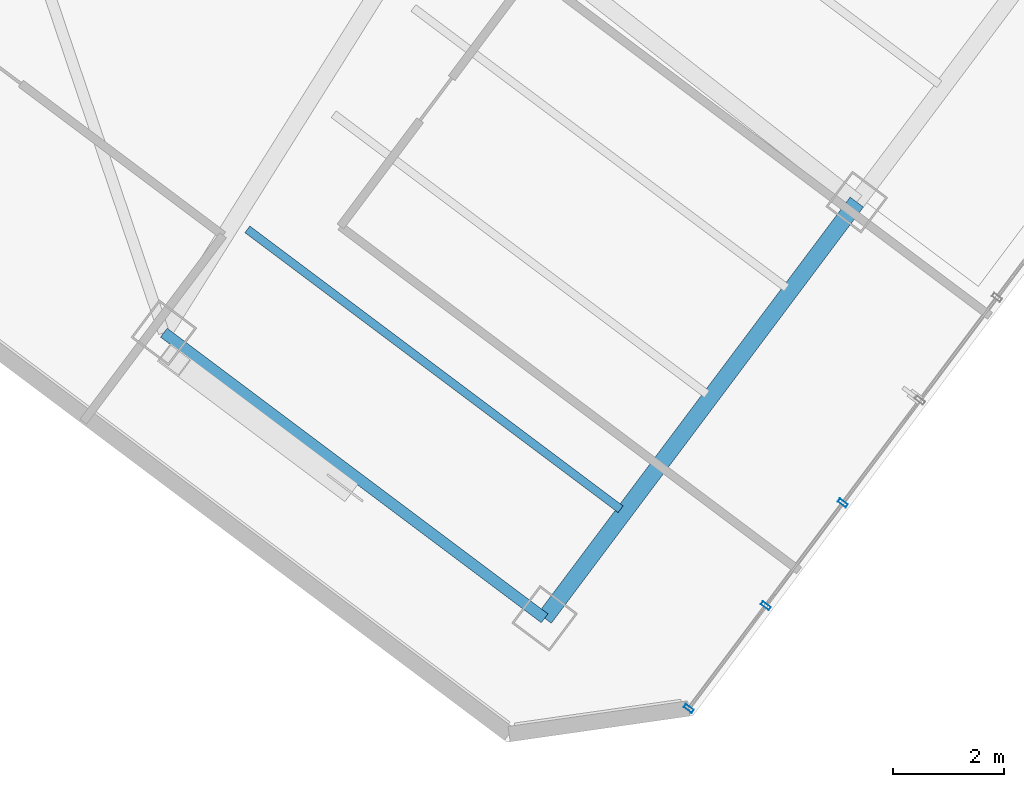
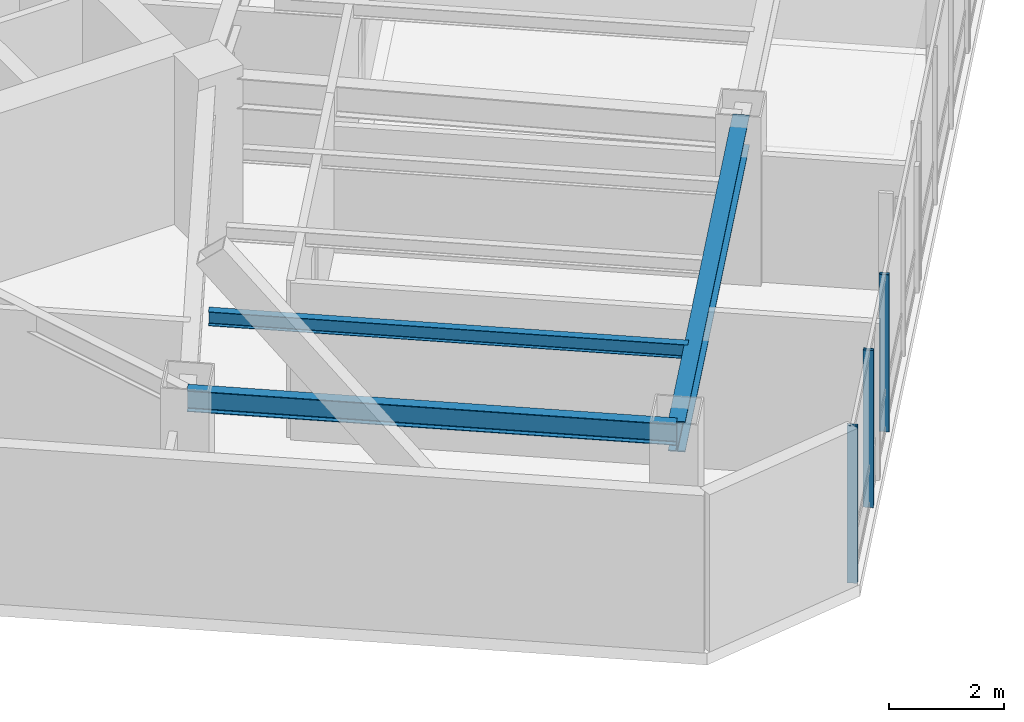
# One storey, part 10 of 28: 3 beams, 3 members, 1 element without a shape of its own.
"""IFC4 building model written with IfcOpenShell, lengths in metres."""

from ifc_helpers import new_model, si_unit, direction, frame, origin, origin_2d, place, context, subcontext, project, spatial, hollow_rectangle, i_section, extrude, material, layer, layer_set, material_profile, profile_set, type_object, element, aggregate, save


model = new_model("IFC4")

# Units and contexts
model_context = context("Model", 3, precision=1e-05, world=origin(), true_north=direction((0.0, 1.0)))
body_context = subcontext(model_context, "Body", "Model", "MODEL_VIEW")
ifc_project = project(units=[si_unit("LENGTHUNIT", "METRE"), si_unit("AREAUNIT", "SQUARE_METRE"), si_unit("VOLUMEUNIT", "CUBIC_METRE"), si_unit("PLANEANGLEUNIT", "RADIAN"), si_unit("MASSUNIT", "GRAM", prefix="KILO")], contexts=[model_context])

# Site, building, storey
site_placement = place(None, origin())
site = spatial("IfcSite", under=ifc_project, at=site_placement, CompositionType="ELEMENT")
building_placement = place(site_placement, origin())
building = spatial("IfcBuilding", under=site, at=building_placement, Name="Hatsunagi Terrace Concourse", CompositionType="ELEMENT")
storey_placement = place(building_placement, frame((0.0, 0.0, 160.050048828125)))
storey = spatial("IfcBuildingStorey", under=building, at=storey_placement, Name="L42", CompositionType="ELEMENT", Elevation=160.050048828125)

# Curtain wall, members
ifc_material_1 = material(Name="Anodised Aluminium Alloy 6063-T5", Category="aluminium")
ifc_layer = layer(ifc_material_1, 0.199951171875)
ifc_layer_set = layer_set([ifc_layer], Name="OfficeZone1_CW03")
curtain_wall_type = type_object("IfcCurtainWallType", Name="OfficeZone1_CW03", PredefinedType="NOTDEFINED", material=ifc_layer_set)
curtain_wall_placement = place(storey_placement, origin())
curtain_wall = element("IfcCurtainWall", 1, at=curtain_wall_placement, inside=storey, type_object=curtain_wall_type, Name="Unitised Curtain Wall CW-03 CW-L42-03", PredefinedType="NOTDEFINED")
ifc_material_2 = material(Name="Anodised Aluminium Alloy 6063-T5", Category="aluminium")
ifc_material_profile_1 = material_profile(ifc_material_2, hollow_rectangle(XDim=0.070068359375, YDim=0.179931640625, WallThickness=0.00390625, at=origin_2d()), Name="ALU-MUL-180x70x4")
ifc_profile_set_1 = profile_set([ifc_material_profile_1], Name="Anodised Aluminium Alloy 6063-T5")
member_type = type_object("IfcMemberType", Name="CurtainWallMullion_180x70", PredefinedType="MULLION", material=ifc_profile_set_1)
member_1_placement = place(storey_placement, frame((50.947021484375, 12.962890625, 0.0), z_axis=(0.0, 0.0, 1.0), x_axis=(-0.599969314634, -0.800023013105, 0.0)))
member_1 = element("IfcMember", 2, at=member_1_placement, type_object=member_type, Name="Curtain Wall Mullion MUL-02", PredefinedType="MULLION", context=body_context, shape_type="SweptSolid", body=[
    extrude(hollow_rectangle(XDim=0.070068359375, YDim=0.179931640625, WallThickness=0.00390625, at=origin_2d()), origin(), (0.0, 0.0, 1.0), 3.349853515625),
])
member_2_placement = place(storey_placement, frame((49.554931640625, 11.10595703125, 0.0), z_axis=(0.0, 0.0, 1.0), x_axis=(-0.599969314634, -0.800023013105, 0.0)))
member_2 = element("IfcMember", 3, at=member_2_placement, type_object=member_type, Name="Curtain Wall Mullion MUL-02", PredefinedType="MULLION", context=body_context, shape_type="SweptSolid", body=[
    extrude(hollow_rectangle(XDim=0.070068359375, YDim=0.179931640625, WallThickness=0.00390625, at=origin_2d()), origin(), (0.0, 0.0, 1.0), 3.349853515625),
])
member_3_placement = place(storey_placement, frame((48.1630859375, 9.25, 0.0), z_axis=(0.0, 0.0, 1.0), x_axis=(-0.599969314634, -0.800023013105, 0.0)))
member_3 = element("IfcMember", 4, at=member_3_placement, type_object=member_type, Name="Curtain Wall Mullion MUL-02", PredefinedType="MULLION", context=body_context, shape_type="SweptSolid", body=[
    extrude(hollow_rectangle(XDim=0.070068359375, YDim=0.179931640625, WallThickness=0.00390625, at=origin_2d()), origin(), (0.0, 0.0, 1.0), 3.349853515625),
])
aggregate(curtain_wall, [member_1, member_2, member_3])

# Beams
ifc_material_3 = material(Name="Steel SN490B", Category="steel")
ifc_material_profile_2 = material_profile(ifc_material_3, i_section(OverallWidth=0.14990234375, OverallDepth=0.300048828125, WebThickness=0.006591796875, FlangeThickness=0.009033203125, FilletRadius=0.010986328125, at=origin_2d()), Name="H-300x150x6.5x9")
ifc_profile_set_2 = profile_set([ifc_material_profile_2], Name="Steel SN490B")
beam_type_1 = type_object("IfcBeamType", Name="OfficeJoist_H_300x150", PredefinedType="JOIST", material=ifc_profile_set_2)
beam_1_placement = place(storey_placement, frame((40.18798828125, 17.908935546875, 3.199951171875), z_axis=(0.800003475366, -0.59999536615, 0.0), x_axis=(0.59999536615, 0.800003475366, 0.0)))
element("IfcBeam", 5, at=beam_1_placement, inside=storey, type_object=beam_type_1, Name="Beam J-03 J-L42-SE-2-46", PredefinedType="JOIST", context=body_context, shape_type="SweptSolid", body=[
    extrude(i_section(OverallWidth=0.14990234375, OverallDepth=0.300048828125, WebThickness=0.006591796875, FlangeThickness=0.009033203125, FilletRadius=0.010986328125, at=origin_2d()), origin(), (0.0, 0.0, 1.0), 8.429931640625),
])
ifc_material_4 = material(Name="Steel SN490B", Category="steel")
ifc_material_profile_3 = material_profile(ifc_material_4, i_section(OverallWidth=0.300048828125, OverallDepth=0.64990234375, WebThickness=0.012939453125, FlangeThickness=0.02197265625, FilletRadius=0.01806640625, at=origin_2d()), Name="H-650x300x13x22")
ifc_profile_set_3 = profile_set([ifc_material_profile_3], Name="Steel SN490B")
beam_type_2 = type_object("IfcBeamType", Name="OfficeLowGirder_H_650x300", PredefinedType="BEAM", material=ifc_profile_set_3)
beam_2_placement = place(storey_placement, frame((45.56005859375, 10.8798828125, 3.02490234375), z_axis=(0.599991688754, 0.800006233367, 0.0), x_axis=(-0.800006233367, 0.599991688754, 0.0)))
element("IfcBeam", 6, at=beam_2_placement, inside=storey, type_object=beam_type_2, Name="Beam G-05 BM-L42-SET-2A", PredefinedType="BEAM", context=body_context, shape_type="SweptSolid", body=[
    extrude(i_section(OverallWidth=0.300048828125, OverallDepth=0.64990234375, WebThickness=0.012939453125, FlangeThickness=0.02197265625, FilletRadius=0.01806640625, at=origin_2d()), origin(), (0.0, 0.0, 1.0), 9.39990234375),
])
ifc_material_5 = material(Name="Steel SN490B", Category="steel")
ifc_material_profile_4 = material_profile(ifc_material_5, i_section(OverallWidth=0.199951171875, OverallDepth=0.449951171875, WebThickness=0.009033203125, FlangeThickness=0.013916015625, FilletRadius=0.01611328125, at=origin_2d()), Name="H-450x200x9x14")
ifc_profile_set_4 = profile_set([ifc_material_profile_4], Name="Steel SN490B")
beam_type_3 = type_object("IfcBeamType", Name="PerimeterSpandrel_H_450x200", PredefinedType="SPANDREL", material=ifc_profile_set_4)
beam_3_placement = place(storey_placement, frame((38.679931640625, 16.0400390625, 3.125), z_axis=(0.799996593451, -0.600004542038, 0.0), x_axis=(0.600004542038, 0.799996593451, 0.0)))
element("IfcBeam", 7, at=beam_3_placement, inside=storey, type_object=beam_type_3, Name="Beam SP-02 BM-L42-SE-SW2", PredefinedType="SPANDREL", context=body_context, shape_type="SweptSolid", body=[
    extrude(i_section(OverallWidth=0.199951171875, OverallDepth=0.449951171875, WebThickness=0.009033203125, FlangeThickness=0.013916015625, FilletRadius=0.01611328125, at=origin_2d()), origin(), (0.0, 0.0, 1.0), 8.60009765625),
])

save(model, "model.ifc")
